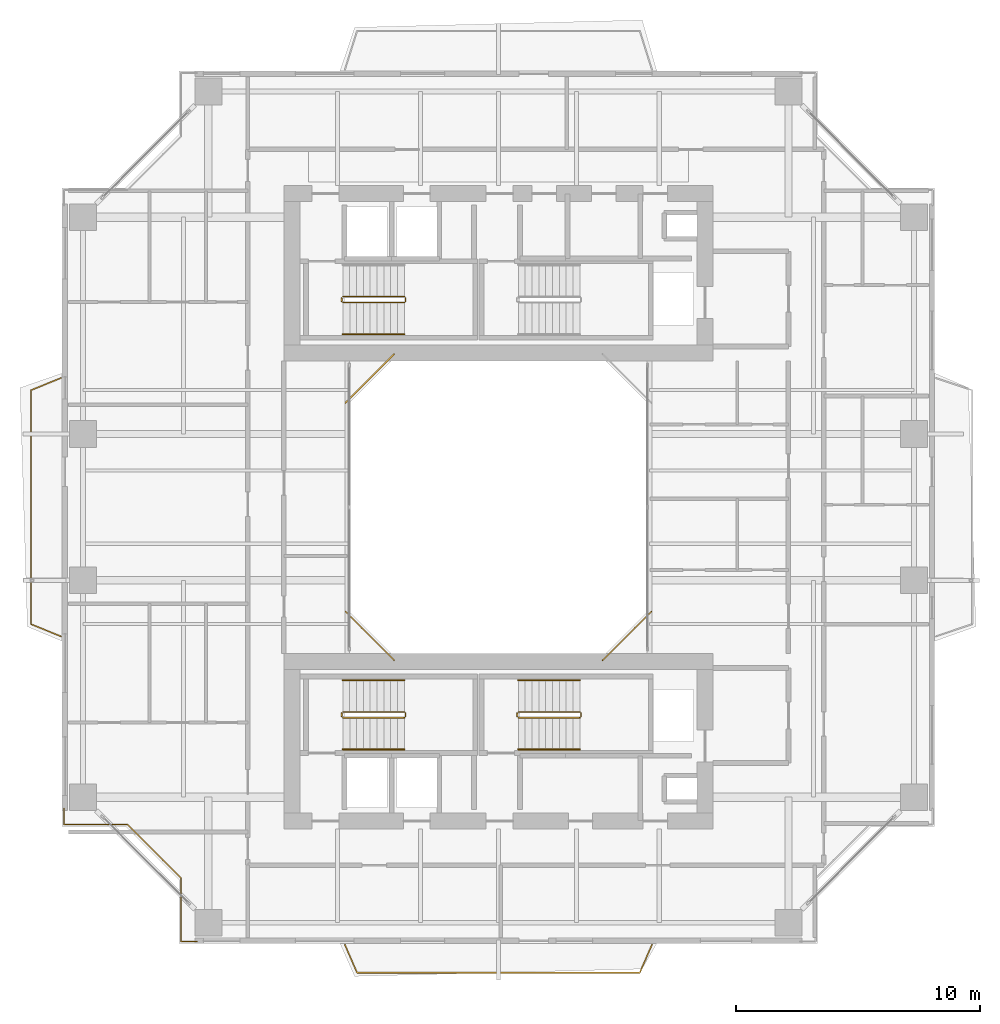
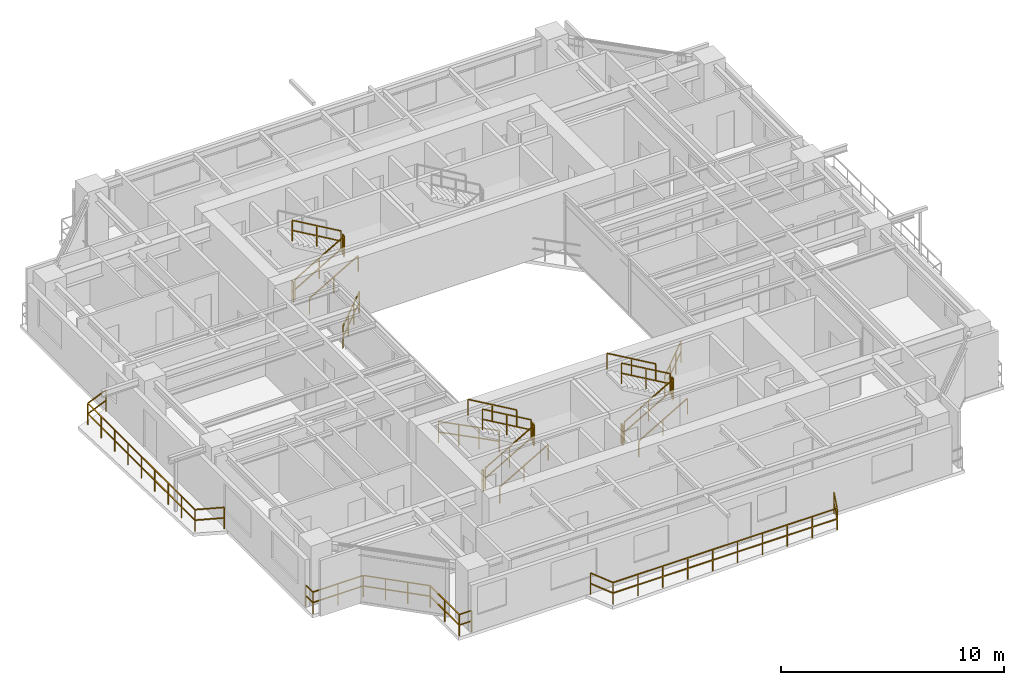
# One storey, part 15 of 17: 23 railings.
"""IFC4 building model written with IfcOpenShell, lengths in metres."""

from ifc_helpers import new_model, si_unit, direction, frame, origin, origin_2d, place, context, subcontext, project, spatial, rectangle, extrude, material, type_object, element, save


model = new_model("IFC4")

# Units and contexts
model_context = context("Model", 3, precision=1e-05, world=origin(), true_north=direction((0.0, 1.0)))
body_context = subcontext(model_context, "Body", "Model", "MODEL_VIEW")
ifc_project = project(units=[si_unit("LENGTHUNIT", "METRE"), si_unit("AREAUNIT", "SQUARE_METRE"), si_unit("VOLUMEUNIT", "CUBIC_METRE"), si_unit("PLANEANGLEUNIT", "RADIAN"), si_unit("MASSUNIT", "GRAM", prefix="KILO"), si_unit("THERMODYNAMICTEMPERATUREUNIT", "KELVIN"), si_unit("POWERUNIT", "WATT")], contexts=[model_context])

# Site, building, storey
site_placement = place(None, origin())
site = spatial("IfcSite", under=ifc_project, at=site_placement, CompositionType="ELEMENT")
building_placement = place(site_placement, origin())
building = spatial("IfcBuilding", under=site, at=building_placement, Name="Qiaomeng Ring Towers", CompositionType="ELEMENT")
storey_placement = place(building_placement, frame((0.0, 0.0, 126.25)))
storey = spatial("IfcBuildingStorey", under=building, at=storey_placement, Name="L36", CompositionType="ELEMENT", Elevation=126.25)

# Railings
ifc_material_1 = material(Name="Low-E pale-green laminated safety glass", Category="glass")
railing_type_1 = type_object("IfcRailingType", Name="ARC-RL-BAL1", PredefinedType="BALUSTRADE", material=ifc_material_1)
railing_1_placement = place(storey_placement, frame((23.280029296875, 16.719970703125, 0.0)))
element("IfcRailing", 1, at=railing_1_placement, inside=storey, type_object=railing_type_1, Name="L36 Balustrade ARC-BAL-WELL1-L36-1", PredefinedType="BALUSTRADE", context=body_context, shape_type="SweptSolid", body=[
    extrude(rectangle(XDim=0.048095703125, YDim=0.048095703125, at=origin_2d()), frame((0.0, 0.0, 1.17578125), z_axis=(0.707106781187, 0.707106781187, 0.0), x_axis=(-0.707106781187, 0.707106781187, 0.0)), (0.0, 0.0, 1.0), 2.828369140625),
    extrude(rectangle(XDim=0.048095703125, YDim=0.048095703125, at=origin_2d()), frame((0.0, 0.0, 0.60009765625), z_axis=(0.707106781187, 0.707106781187, 0.0), x_axis=(-0.707106781187, 0.707106781187, 0.0)), (0.0, 0.0, 1.0), 2.828369140625),
    extrude(rectangle(XDim=0.0419921875, YDim=0.0419921875, at=origin_2d()), origin(), (0.0, 0.0, 1.0), 1.15185546875),
    extrude(rectangle(XDim=0.0419921875, YDim=0.0419921875, at=origin_2d()), frame((0.666748046875, 0.666748046875, 0.0)), (0.0, 0.0, 1.0), 1.15185546875),
    extrude(rectangle(XDim=0.0419921875, YDim=0.0419921875, at=origin_2d()), frame((1.333251953125, 1.333251953125, 0.0)), (0.0, 0.0, 1.0), 1.15185546875),
    extrude(rectangle(XDim=0.0419921875, YDim=0.0419921875, at=origin_2d()), frame((2.0, 2.0, 0.0)), (0.0, 0.0, 1.0), 1.15185546875),
])
railing_2_placement = place(storey_placement, frame((14.719970703125, 29.280029296875, 0.0)))
element("IfcRailing", 2, at=railing_2_placement, inside=storey, type_object=railing_type_1, Name="L36 Balustrade ARC-BAL-WELL1-L36-3", PredefinedType="BALUSTRADE", context=body_context, shape_type="SweptSolid", body=[
    extrude(rectangle(XDim=0.048095703125, YDim=0.048095703125, at=origin_2d()), frame((0.0, 0.0, 1.17578125), z_axis=(-0.707106781187, -0.707106781187, 0.0), x_axis=(0.707106781187, -0.707106781187, 0.0)), (0.0, 0.0, 1.0), 2.828369140625),
    extrude(rectangle(XDim=0.048095703125, YDim=0.048095703125, at=origin_2d()), frame((0.0, 0.0, 0.60009765625), z_axis=(-0.707106781187, -0.707106781187, 0.0), x_axis=(0.707106781187, -0.707106781187, 0.0)), (0.0, 0.0, 1.0), 2.828369140625),
    extrude(rectangle(XDim=0.0419921875, YDim=0.0419921875, at=origin_2d()), origin(), (0.0, 0.0, 1.0), 1.15185546875),
    extrude(rectangle(XDim=0.0419921875, YDim=0.0419921875, at=origin_2d()), frame((-0.666748046875, -0.666748046875, 0.0)), (0.0, 0.0, 1.0), 1.15185546875),
    extrude(rectangle(XDim=0.0419921875, YDim=0.0419921875, at=origin_2d()), frame((-1.333251953125, -1.333251953125, 0.0)), (0.0, 0.0, 1.0), 1.15185546875),
    extrude(rectangle(XDim=0.0419921875, YDim=0.0419921875, at=origin_2d()), frame((-2.0, -2.0, 0.0)), (0.0, 0.0, 1.0), 1.15185546875),
])
railing_3_placement = place(storey_placement, frame((12.719970703125, 18.719970703125, 0.0)))
element("IfcRailing", 3, at=railing_3_placement, inside=storey, type_object=railing_type_1, Name="L36 Balustrade ARC-BAL-WELL1-L36-4", PredefinedType="BALUSTRADE", context=body_context, shape_type="SweptSolid", body=[
    extrude(rectangle(XDim=0.048095703125, YDim=0.048095703125, at=origin_2d()), frame((0.0, 0.0, 1.17578125), z_axis=(0.707106781187, -0.707106781187, 0.0), x_axis=(0.707106781187, 0.707106781187, 0.0)), (0.0, 0.0, 1.0), 2.828369140625),
    extrude(rectangle(XDim=0.048095703125, YDim=0.048095703125, at=origin_2d()), frame((0.0, 0.0, 0.60009765625), z_axis=(0.707106781187, -0.707106781187, 0.0), x_axis=(0.707106781187, 0.707106781187, 0.0)), (0.0, 0.0, 1.0), 2.828369140625),
    extrude(rectangle(XDim=0.0419921875, YDim=0.0419921875, at=origin_2d()), origin(), (0.0, 0.0, 1.0), 1.15185546875),
    extrude(rectangle(XDim=0.0419921875, YDim=0.0419921875, at=origin_2d()), frame((0.666748046875, -0.666748046875, 0.0)), (0.0, 0.0, 1.0), 1.15185546875),
    extrude(rectangle(XDim=0.0419921875, YDim=0.0419921875, at=origin_2d()), frame((1.333251953125, -1.333251953125, 0.0)), (0.0, 0.0, 1.0), 1.15185546875),
    extrude(rectangle(XDim=0.0419921875, YDim=0.0419921875, at=origin_2d()), frame((2.0, -2.0, 0.0)), (0.0, 0.0, 1.0), 1.15185546875),
])
railing_4_placement = place(storey_placement, frame((1.179931640625, 10.6298828125, 0.0)))
element("IfcRailing", 4, at=railing_4_placement, inside=storey, type_object=railing_type_1, Name="L36 Balustrade ARC-BAL-NOTCH1-L36-SW", PredefinedType="BALUSTRADE", context=body_context, shape_type="SweptSolid", body=[
    extrude(rectangle(XDim=0.048095703125, YDim=0.048095703125, at=origin_2d()), frame((0.0, 0.0, 1.17578125), z_axis=(0.0, -1.0, 0.0), x_axis=(1.0, 0.0, 0.0)), (0.0, 0.0, 1.0), 0.64990234375),
    extrude(rectangle(XDim=0.048095703125, YDim=0.048095703125, at=origin_2d()), frame((0.0, 0.0, 0.60009765625), z_axis=(0.0, -1.0, 0.0), x_axis=(1.0, 0.0, 0.0)), (0.0, 0.0, 1.0), 0.64990234375),
    extrude(rectangle(XDim=0.048095703125, YDim=0.048095703125, at=origin_2d()), frame((0.0, -0.64990234375, 1.17578125), z_axis=(1.0, 0.0, 0.0), x_axis=(0.0, 1.0, 0.0)), (0.0, 0.0, 1.0), 2.60009765625),
    extrude(rectangle(XDim=0.048095703125, YDim=0.048095703125, at=origin_2d()), frame((0.0, -0.64990234375, 0.60009765625), z_axis=(1.0, 0.0, 0.0), x_axis=(0.0, 1.0, 0.0)), (0.0, 0.0, 1.0), 2.60009765625),
    extrude(rectangle(XDim=0.048095703125, YDim=0.048095703125, at=origin_2d()), frame((2.60009765625, -0.64990234375, 1.17578125), z_axis=(0.707106781187, -0.707106781187, 0.0), x_axis=(0.707106781187, 0.707106781187, 0.0)), (0.0, 0.0, 1.0), 3.111083984375),
    extrude(rectangle(XDim=0.048095703125, YDim=0.048095703125, at=origin_2d()), frame((2.60009765625, -0.64990234375, 0.60009765625), z_axis=(0.707106781187, -0.707106781187, 0.0), x_axis=(0.707106781187, 0.707106781187, 0.0)), (0.0, 0.0, 1.0), 3.111083984375),
    extrude(rectangle(XDim=0.048095703125, YDim=0.048095703125, at=origin_2d()), frame((4.800048828125, -2.849853515625, 1.17578125), z_axis=(0.0, -1.0, 0.0), x_axis=(1.0, 0.0, 0.0)), (0.0, 0.0, 1.0), 2.60009765625),
    extrude(rectangle(XDim=0.048095703125, YDim=0.048095703125, at=origin_2d()), frame((4.800048828125, -2.849853515625, 0.60009765625), z_axis=(0.0, -1.0, 0.0), x_axis=(1.0, 0.0, 0.0)), (0.0, 0.0, 1.0), 2.60009765625),
    extrude(rectangle(XDim=0.048095703125, YDim=0.048095703125, at=origin_2d()), frame((4.800048828125, -5.449951171875, 1.17578125), z_axis=(1.0, 0.0, 0.0), x_axis=(0.0, 1.0, 0.0)), (0.0, 0.0, 1.0), 0.64990234375),
    extrude(rectangle(XDim=0.048095703125, YDim=0.048095703125, at=origin_2d()), frame((4.800048828125, -5.449951171875, 0.60009765625), z_axis=(1.0, 0.0, 0.0), x_axis=(0.0, 1.0, 0.0)), (0.0, 0.0, 1.0), 0.64990234375),
    extrude(rectangle(XDim=0.0419921875, YDim=0.0419921875, at=origin_2d()), origin(), (0.0, 0.0, 1.0), 1.15185546875),
    extrude(rectangle(XDim=0.0419921875, YDim=0.0419921875, at=origin_2d()), frame((0.0, -0.64990234375, 0.0)), (0.0, 0.0, 1.0), 1.15185546875),
    extrude(rectangle(XDim=0.0419921875, YDim=0.0419921875, at=origin_2d()), frame((1.300048828125, -0.64990234375, 0.0)), (0.0, 0.0, 1.0), 1.15185546875),
    extrude(rectangle(XDim=0.0419921875, YDim=0.0419921875, at=origin_2d()), frame((2.60009765625, -0.64990234375, 0.0)), (0.0, 0.0, 1.0), 1.15185546875),
    extrude(rectangle(XDim=0.0419921875, YDim=0.0419921875, at=origin_2d()), frame((3.33349609375, -1.38330078125, 0.0)), (0.0, 0.0, 1.0), 1.15185546875),
    extrude(rectangle(XDim=0.0419921875, YDim=0.0419921875, at=origin_2d()), frame((4.066650390625, -2.116455078125, 0.0)), (0.0, 0.0, 1.0), 1.15185546875),
    extrude(rectangle(XDim=0.0419921875, YDim=0.0419921875, at=origin_2d()), frame((4.800048828125, -2.849853515625, 0.0)), (0.0, 0.0, 1.0), 1.15185546875),
    extrude(rectangle(XDim=0.0419921875, YDim=0.0419921875, at=origin_2d()), frame((4.800048828125, -4.14990234375, 0.0)), (0.0, 0.0, 1.0), 1.15185546875),
    extrude(rectangle(XDim=0.0419921875, YDim=0.0419921875, at=origin_2d()), frame((4.800048828125, -5.449951171875, 0.0)), (0.0, 0.0, 1.0), 1.15185546875),
    extrude(rectangle(XDim=0.0419921875, YDim=0.0419921875, at=origin_2d()), frame((5.449951171875, -5.449951171875, 0.0)), (0.0, 0.0, 1.0), 1.15185546875),
])
railing_5_placement = place(storey_placement, frame((12.699951171875, 5.050048828125, 0.0)))
element("IfcRailing", 5, at=railing_5_placement, inside=storey, type_object=railing_type_1, Name="L36 Balustrade ARC-BAL-L36-T1-S", PredefinedType="BALUSTRADE", context=body_context, shape_type="SweptSolid", body=[
    extrude(rectangle(XDim=0.048095703125, YDim=0.048095703125, at=origin_2d()), frame((0.0, 0.0, 1.17578125), z_axis=(0.39868340127, -0.917088624699, 0.0), x_axis=(0.917088624699, 0.39868340127, 0.0)), (0.0, 0.0, 1.0), 1.254150390625),
    extrude(rectangle(XDim=0.048095703125, YDim=0.048095703125, at=origin_2d()), frame((0.0, 0.0, 0.60009765625), z_axis=(0.39868340127, -0.917088624699, 0.0), x_axis=(0.917088624699, 0.39868340127, 0.0)), (0.0, 0.0, 1.0), 1.254150390625),
    extrude(rectangle(XDim=0.048095703125, YDim=0.048095703125, at=origin_2d()), frame((0.5, -1.150146484375, 1.17578125), z_axis=(1.0, 0.0, 0.0), x_axis=(0.0, 1.0, 0.0)), (0.0, 0.0, 1.0), 11.60009765625),
    extrude(rectangle(XDim=0.048095703125, YDim=0.048095703125, at=origin_2d()), frame((0.5, -1.150146484375, 0.60009765625), z_axis=(1.0, 0.0, 0.0), x_axis=(0.0, 1.0, 0.0)), (0.0, 0.0, 1.0), 11.60009765625),
    extrude(rectangle(XDim=0.048095703125, YDim=0.048095703125, at=origin_2d()), frame((12.10009765625, -1.150146484375, 1.17578125), z_axis=(0.39868340127, 0.917088624699, 0.0), x_axis=(-0.917088624699, 0.39868340127, 0.0)), (0.0, 0.0, 1.0), 1.254150390625),
    extrude(rectangle(XDim=0.048095703125, YDim=0.048095703125, at=origin_2d()), frame((12.10009765625, -1.150146484375, 0.60009765625), z_axis=(0.39868340127, 0.917088624699, 0.0), x_axis=(-0.917088624699, 0.39868340127, 0.0)), (0.0, 0.0, 1.0), 1.254150390625),
    extrude(rectangle(XDim=0.0419921875, YDim=0.0419921875, at=origin_2d()), origin(), (0.0, 0.0, 1.0), 1.15185546875),
    extrude(rectangle(XDim=0.0419921875, YDim=0.0419921875, at=origin_2d()), frame((0.5, -1.150146484375, 0.0)), (0.0, 0.0, 1.0), 1.15185546875),
    extrude(rectangle(XDim=0.0419921875, YDim=0.0419921875, at=origin_2d()), frame((1.788818359375, -1.150146484375, 0.0)), (0.0, 0.0, 1.0), 1.15185546875),
    extrude(rectangle(XDim=0.0419921875, YDim=0.0419921875, at=origin_2d()), frame((3.077880859375, -1.150146484375, 0.0)), (0.0, 0.0, 1.0), 1.15185546875),
    extrude(rectangle(XDim=0.0419921875, YDim=0.0419921875, at=origin_2d()), frame((4.36669921875, -1.150146484375, 0.0)), (0.0, 0.0, 1.0), 1.15185546875),
    extrude(rectangle(XDim=0.0419921875, YDim=0.0419921875, at=origin_2d()), frame((5.655517578125, -1.150146484375, 0.0)), (0.0, 0.0, 1.0), 1.15185546875),
    extrude(rectangle(XDim=0.0419921875, YDim=0.0419921875, at=origin_2d()), frame((6.944580078125, -1.150146484375, 0.0)), (0.0, 0.0, 1.0), 1.15185546875),
    extrude(rectangle(XDim=0.0419921875, YDim=0.0419921875, at=origin_2d()), frame((8.2333984375, -1.150146484375, 0.0)), (0.0, 0.0, 1.0), 1.15185546875),
    extrude(rectangle(XDim=0.0419921875, YDim=0.0419921875, at=origin_2d()), frame((9.522216796875, -1.150146484375, 0.0)), (0.0, 0.0, 1.0), 1.15185546875),
    extrude(rectangle(XDim=0.0419921875, YDim=0.0419921875, at=origin_2d()), frame((10.811279296875, -1.150146484375, 0.0)), (0.0, 0.0, 1.0), 1.15185546875),
    extrude(rectangle(XDim=0.0419921875, YDim=0.0419921875, at=origin_2d()), frame((12.10009765625, -1.150146484375, 0.0)), (0.0, 0.0, 1.0), 1.15185546875),
    extrude(rectangle(XDim=0.0419921875, YDim=0.0419921875, at=origin_2d()), frame((12.60009765625, 0.0, 0.0)), (0.0, 0.0, 1.0), 1.15185546875),
])
railing_6_placement = place(storey_placement, frame((1.050048828125, 17.699951171875, 0.0)))
element("IfcRailing", 6, at=railing_6_placement, inside=storey, type_object=railing_type_1, Name="L36 Balustrade ARC-BAL-L36-T1-W", PredefinedType="BALUSTRADE", context=body_context, shape_type="SweptSolid", body=[
    extrude(rectangle(XDim=0.048095703125, YDim=0.048095703125, at=origin_2d()), frame((0.0, 0.0, 1.17578125), z_axis=(-0.926382398109, 0.376584190418, 0.0), x_axis=(-0.376584190418, -0.926382398109, 0.0)), (0.0, 0.0, 1.0), 1.32763671875),
    extrude(rectangle(XDim=0.048095703125, YDim=0.048095703125, at=origin_2d()), frame((0.0, 0.0, 0.60009765625), z_axis=(-0.926382398109, 0.376584190418, 0.0), x_axis=(-0.376584190418, -0.926382398109, 0.0)), (0.0, 0.0, 1.0), 1.32763671875),
    extrude(rectangle(XDim=0.048095703125, YDim=0.048095703125, at=origin_2d()), frame((-1.22998046875, 0.5, 1.17578125), z_axis=(0.0, 1.0, 0.0), x_axis=(-1.0, 0.0, 0.0)), (0.0, 0.0, 1.0), 9.60009765625),
    extrude(rectangle(XDim=0.048095703125, YDim=0.048095703125, at=origin_2d()), frame((-1.22998046875, 0.5, 0.60009765625), z_axis=(0.0, 1.0, 0.0), x_axis=(-1.0, 0.0, 0.0)), (0.0, 0.0, 1.0), 9.60009765625),
    extrude(rectangle(XDim=0.048095703125, YDim=0.048095703125, at=origin_2d()), frame((-1.22998046875, 10.10009765625, 1.17578125), z_axis=(0.926382398109, 0.376584190418, 0.0), x_axis=(-0.376584190418, 0.926382398109, 0.0)), (0.0, 0.0, 1.0), 1.32763671875),
    extrude(rectangle(XDim=0.048095703125, YDim=0.048095703125, at=origin_2d()), frame((-1.22998046875, 10.10009765625, 0.60009765625), z_axis=(0.926382398109, 0.376584190418, 0.0), x_axis=(-0.376584190418, 0.926382398109, 0.0)), (0.0, 0.0, 1.0), 1.32763671875),
    extrude(rectangle(XDim=0.0419921875, YDim=0.0419921875, at=origin_2d()), origin(), (0.0, 0.0, 1.0), 1.15185546875),
    extrude(rectangle(XDim=0.0419921875, YDim=0.0419921875, at=origin_2d()), frame((-1.22998046875, 0.5, 0.0)), (0.0, 0.0, 1.0), 1.15185546875),
    extrude(rectangle(XDim=0.0419921875, YDim=0.0419921875, at=origin_2d()), frame((-1.22998046875, 1.699951171875, 0.0)), (0.0, 0.0, 1.0), 1.15185546875),
    extrude(rectangle(XDim=0.0419921875, YDim=0.0419921875, at=origin_2d()), frame((-1.22998046875, 2.89990234375, 0.0)), (0.0, 0.0, 1.0), 1.15185546875),
    extrude(rectangle(XDim=0.0419921875, YDim=0.0419921875, at=origin_2d()), frame((-1.22998046875, 4.10009765625, 0.0)), (0.0, 0.0, 1.0), 1.15185546875),
    extrude(rectangle(XDim=0.0419921875, YDim=0.0419921875, at=origin_2d()), frame((-1.22998046875, 5.300048828125, 0.0)), (0.0, 0.0, 1.0), 1.15185546875),
    extrude(rectangle(XDim=0.0419921875, YDim=0.0419921875, at=origin_2d()), frame((-1.22998046875, 6.5, 0.0)), (0.0, 0.0, 1.0), 1.15185546875),
    extrude(rectangle(XDim=0.0419921875, YDim=0.0419921875, at=origin_2d()), frame((-1.22998046875, 7.7001953125, 0.0)), (0.0, 0.0, 1.0), 1.15185546875),
    extrude(rectangle(XDim=0.0419921875, YDim=0.0419921875, at=origin_2d()), frame((-1.22998046875, 8.900146484375, 0.0)), (0.0, 0.0, 1.0), 1.15185546875),
    extrude(rectangle(XDim=0.0419921875, YDim=0.0419921875, at=origin_2d()), frame((-1.22998046875, 10.10009765625, 0.0)), (0.0, 0.0, 1.0), 1.15185546875),
    extrude(rectangle(XDim=0.0419921875, YDim=0.0419921875, at=origin_2d()), frame((0.0, 10.60009765625, 0.0)), (0.0, 0.0, 1.0), 1.15185546875),
])
ifc_material_2 = material(Name="Galvanised steel", Category="steel")
railing_type_2 = type_object("IfcRailingType", Name="ARC-RL-GUARD", PredefinedType="GUARDRAIL", material=ifc_material_2)
railing_7_placement = place(storey_placement, frame((12.6201171875, 31.39990234375, 0.16259765625)))
element("IfcRailing", 7, at=railing_7_placement, inside=storey, type_object=railing_type_2, Name="L36 ST1 stair guard 1", PredefinedType="GUARDRAIL", context=body_context, shape_type="SweptSolid", body=[
    extrude(rectangle(XDim=0.048095703125, YDim=0.048095703125, at=origin_2d()), frame((0.0, 0.0, 1.1259765625), z_axis=(0.864892226395, 0.0, 0.501957604506), x_axis=(0.0, 1.0, 0.0)), (0.0, 0.0, 1.0), 2.913330078125),
    extrude(rectangle(XDim=0.048095703125, YDim=0.048095703125, at=origin_2d()), frame((0.0, 0.0, 0.574951171875), z_axis=(0.864892226395, 0.0, 0.501957604506), x_axis=(0.0, 1.0, 0.0)), (0.0, 0.0, 1.0), 2.913330078125),
    extrude(rectangle(XDim=0.0419921875, YDim=0.0419921875, at=origin_2d()), origin(), (0.0, 0.0, 1.0), 1.101806640625),
    extrude(rectangle(XDim=0.0419921875, YDim=0.0419921875, at=origin_2d()), frame((1.259765625, 0.0, 0.731201171875)), (0.0, 0.0, 1.0), 1.101806640625),
    extrude(rectangle(XDim=0.0419921875, YDim=0.0419921875, at=origin_2d()), frame((2.519775390625, 0.0, 1.46240234375)), (0.0, 0.0, 1.0), 1.101806640625),
])
railing_8_placement = place(storey_placement, frame((15.18994140625, 31.449951171875, 1.625)))
element("IfcRailing", 8, at=railing_8_placement, inside=storey, type_object=railing_type_2, Name="L36 ST1 stair guard 2", PredefinedType="GUARDRAIL", context=body_context, shape_type="SweptSolid", body=[
    extrude(rectangle(XDim=0.048095703125, YDim=0.048095703125, at=origin_2d()), frame((0.0, 0.0, 1.1259765625), z_axis=(0.0, 1.0, 0.0), x_axis=(-1.0, 0.0, 0.0)), (0.0, 0.0, 1.0), 0.14013671875),
    extrude(rectangle(XDim=0.048095703125, YDim=0.048095703125, at=origin_2d()), frame((0.0, 0.0, 0.574951171875), z_axis=(0.0, 1.0, 0.0), x_axis=(-1.0, 0.0, 0.0)), (0.0, 0.0, 1.0), 0.14013671875),
    extrude(rectangle(XDim=0.0419921875, YDim=0.0419921875, at=origin_2d()), origin(), (0.0, 0.0, 1.0), 1.101806640625),
    extrude(rectangle(XDim=0.0419921875, YDim=0.0419921875, at=origin_2d()), frame((0.0, 0.14013671875, 0.0)), (0.0, 0.0, 1.0), 1.101806640625),
])
railing_9_placement = place(storey_placement, frame((15.139892578125, 31.639892578125, 1.78759765625)))
element("IfcRailing", 9, at=railing_9_placement, inside=storey, type_object=railing_type_2, Name="L36 ST1 stair guard 3", PredefinedType="GUARDRAIL", context=body_context, shape_type="SweptSolid", body=[
    extrude(rectangle(XDim=0.048095703125, YDim=0.048095703125, at=origin_2d()), frame((0.0, 0.0, 1.1259765625), z_axis=(-0.864892226395, 0.0, 0.501957604506), x_axis=(0.0, -1.0, 0.0)), (0.0, 0.0, 1.0), 2.913330078125),
    extrude(rectangle(XDim=0.048095703125, YDim=0.048095703125, at=origin_2d()), frame((0.0, 0.0, 0.574951171875), z_axis=(-0.864892226395, 0.0, 0.501957604506), x_axis=(0.0, -1.0, 0.0)), (0.0, 0.0, 1.0), 2.913330078125),
    extrude(rectangle(XDim=0.0419921875, YDim=0.0419921875, at=origin_2d()), origin(), (0.0, 0.0, 1.0), 1.101806640625),
    extrude(rectangle(XDim=0.0419921875, YDim=0.0419921875, at=origin_2d()), frame((-1.259765625, 0.0, 0.731201171875)), (0.0, 0.0, 1.0), 1.101806640625),
    extrude(rectangle(XDim=0.0419921875, YDim=0.0419921875, at=origin_2d()), frame((-2.519775390625, 0.0, 1.46240234375)), (0.0, 0.0, 1.0), 1.101806640625),
])
railing_10_placement = place(storey_placement, frame((12.570068359375, 31.449951171875, 0.0)))
element("IfcRailing", 10, at=railing_10_placement, inside=storey, type_object=railing_type_2, Name="L36 ST1 stair guard 4", PredefinedType="GUARDRAIL", context=body_context, shape_type="SweptSolid", body=[
    extrude(rectangle(XDim=0.048095703125, YDim=0.048095703125, at=origin_2d()), frame((0.0, 0.0, 1.1259765625), z_axis=(0.0, 1.0, 0.0), x_axis=(-1.0, 0.0, 0.0)), (0.0, 0.0, 1.0), 0.14013671875),
    extrude(rectangle(XDim=0.048095703125, YDim=0.048095703125, at=origin_2d()), frame((0.0, 0.0, 0.574951171875), z_axis=(0.0, 1.0, 0.0), x_axis=(-1.0, 0.0, 0.0)), (0.0, 0.0, 1.0), 0.14013671875),
    extrude(rectangle(XDim=0.0419921875, YDim=0.0419921875, at=origin_2d()), origin(), (0.0, 0.0, 1.0), 1.101806640625),
    extrude(rectangle(XDim=0.0419921875, YDim=0.0419921875, at=origin_2d()), frame((0.0, 0.14013671875, 0.0)), (0.0, 0.0, 1.0), 1.101806640625),
])
railing_11_placement = place(storey_placement, frame((12.6201171875, 14.360107421875, 0.16259765625)))
element("IfcRailing", 11, at=railing_11_placement, inside=storey, type_object=railing_type_2, Name="L36 ST3 stair guard 1", PredefinedType="GUARDRAIL", context=body_context, shape_type="SweptSolid", body=[
    extrude(rectangle(XDim=0.048095703125, YDim=0.048095703125, at=origin_2d()), frame((0.0, 0.0, 1.1259765625), z_axis=(0.864892226395, 0.0, 0.501957604506), x_axis=(0.0, 1.0, 0.0)), (0.0, 0.0, 1.0), 2.913330078125),
    extrude(rectangle(XDim=0.048095703125, YDim=0.048095703125, at=origin_2d()), frame((0.0, 0.0, 0.574951171875), z_axis=(0.864892226395, 0.0, 0.501957604506), x_axis=(0.0, 1.0, 0.0)), (0.0, 0.0, 1.0), 2.913330078125),
    extrude(rectangle(XDim=0.0419921875, YDim=0.0419921875, at=origin_2d()), origin(), (0.0, 0.0, 1.0), 1.101806640625),
    extrude(rectangle(XDim=0.0419921875, YDim=0.0419921875, at=origin_2d()), frame((1.259765625, 0.0, 0.731201171875)), (0.0, 0.0, 1.0), 1.101806640625),
    extrude(rectangle(XDim=0.0419921875, YDim=0.0419921875, at=origin_2d()), frame((2.519775390625, 0.0, 1.46240234375)), (0.0, 0.0, 1.0), 1.101806640625),
])
railing_12_placement = place(storey_placement, frame((15.18994140625, 14.409912109375, 1.625)))
element("IfcRailing", 12, at=railing_12_placement, inside=storey, type_object=railing_type_2, Name="L36 ST3 stair guard 2", PredefinedType="GUARDRAIL", context=body_context, shape_type="SweptSolid", body=[
    extrude(rectangle(XDim=0.048095703125, YDim=0.048095703125, at=origin_2d()), frame((0.0, 0.0, 1.1259765625), z_axis=(0.0, 1.0, 0.0), x_axis=(-1.0, 0.0, 0.0)), (0.0, 0.0, 1.0), 0.14013671875),
    extrude(rectangle(XDim=0.048095703125, YDim=0.048095703125, at=origin_2d()), frame((0.0, 0.0, 0.574951171875), z_axis=(0.0, 1.0, 0.0), x_axis=(-1.0, 0.0, 0.0)), (0.0, 0.0, 1.0), 0.14013671875),
    extrude(rectangle(XDim=0.0419921875, YDim=0.0419921875, at=origin_2d()), origin(), (0.0, 0.0, 1.0), 1.101806640625),
    extrude(rectangle(XDim=0.0419921875, YDim=0.0419921875, at=origin_2d()), frame((0.0, 0.14013671875, 0.0)), (0.0, 0.0, 1.0), 1.101806640625),
])
railing_13_placement = place(storey_placement, frame((15.139892578125, 14.60009765625, 1.78759765625)))
element("IfcRailing", 13, at=railing_13_placement, inside=storey, type_object=railing_type_2, Name="L36 ST3 stair guard 3", PredefinedType="GUARDRAIL", context=body_context, shape_type="SweptSolid", body=[
    extrude(rectangle(XDim=0.048095703125, YDim=0.048095703125, at=origin_2d()), frame((0.0, 0.0, 1.1259765625), z_axis=(-0.864892226395, 0.0, 0.501957604506), x_axis=(0.0, -1.0, 0.0)), (0.0, 0.0, 1.0), 2.913330078125),
    extrude(rectangle(XDim=0.048095703125, YDim=0.048095703125, at=origin_2d()), frame((0.0, 0.0, 0.574951171875), z_axis=(-0.864892226395, 0.0, 0.501957604506), x_axis=(0.0, -1.0, 0.0)), (0.0, 0.0, 1.0), 2.913330078125),
    extrude(rectangle(XDim=0.0419921875, YDim=0.0419921875, at=origin_2d()), origin(), (0.0, 0.0, 1.0), 1.101806640625),
    extrude(rectangle(XDim=0.0419921875, YDim=0.0419921875, at=origin_2d()), frame((-1.259765625, 0.0, 0.731201171875)), (0.0, 0.0, 1.0), 1.101806640625),
    extrude(rectangle(XDim=0.0419921875, YDim=0.0419921875, at=origin_2d()), frame((-2.519775390625, 0.0, 1.46240234375)), (0.0, 0.0, 1.0), 1.101806640625),
])
railing_14_placement = place(storey_placement, frame((12.570068359375, 14.409912109375, 0.0)))
element("IfcRailing", 14, at=railing_14_placement, inside=storey, type_object=railing_type_2, Name="L36 ST3 stair guard 4", PredefinedType="GUARDRAIL", context=body_context, shape_type="SweptSolid", body=[
    extrude(rectangle(XDim=0.048095703125, YDim=0.048095703125, at=origin_2d()), frame((0.0, 0.0, 1.1259765625), z_axis=(0.0, 1.0, 0.0), x_axis=(-1.0, 0.0, 0.0)), (0.0, 0.0, 1.0), 0.14013671875),
    extrude(rectangle(XDim=0.048095703125, YDim=0.048095703125, at=origin_2d()), frame((0.0, 0.0, 0.574951171875), z_axis=(0.0, 1.0, 0.0), x_axis=(-1.0, 0.0, 0.0)), (0.0, 0.0, 1.0), 0.14013671875),
    extrude(rectangle(XDim=0.0419921875, YDim=0.0419921875, at=origin_2d()), origin(), (0.0, 0.0, 1.0), 1.101806640625),
    extrude(rectangle(XDim=0.0419921875, YDim=0.0419921875, at=origin_2d()), frame((0.0, 0.14013671875, 0.0)), (0.0, 0.0, 1.0), 1.101806640625),
])
railing_15_placement = place(storey_placement, frame((19.820068359375, 14.360107421875, 0.16259765625)))
element("IfcRailing", 15, at=railing_15_placement, inside=storey, type_object=railing_type_2, Name="L36 ST4 stair guard 1", PredefinedType="GUARDRAIL", context=body_context, shape_type="SweptSolid", body=[
    extrude(rectangle(XDim=0.048095703125, YDim=0.048095703125, at=origin_2d()), frame((0.0, 0.0, 1.1259765625), z_axis=(0.864913338283, 0.0, 0.50192122615), x_axis=(0.0, 1.0, 0.0)), (0.0, 0.0, 1.0), 2.91357421875),
    extrude(rectangle(XDim=0.048095703125, YDim=0.048095703125, at=origin_2d()), frame((0.0, 0.0, 0.574951171875), z_axis=(0.864913338283, 0.0, 0.50192122615), x_axis=(0.0, 1.0, 0.0)), (0.0, 0.0, 1.0), 2.91357421875),
    extrude(rectangle(XDim=0.0419921875, YDim=0.0419921875, at=origin_2d()), origin(), (0.0, 0.0, 1.0), 1.101806640625),
    extrude(rectangle(XDim=0.0419921875, YDim=0.0419921875, at=origin_2d()), frame((1.260009765625, 0.0, 0.731201171875)), (0.0, 0.0, 1.0), 1.101806640625),
    extrude(rectangle(XDim=0.0419921875, YDim=0.0419921875, at=origin_2d()), frame((2.52001953125, 0.0, 1.46240234375)), (0.0, 0.0, 1.0), 1.101806640625),
])
railing_16_placement = place(storey_placement, frame((22.389892578125, 14.409912109375, 1.625)))
element("IfcRailing", 16, at=railing_16_placement, inside=storey, type_object=railing_type_2, Name="L36 ST4 stair guard 2", PredefinedType="GUARDRAIL", context=body_context, shape_type="SweptSolid", body=[
    extrude(rectangle(XDim=0.048095703125, YDim=0.048095703125, at=origin_2d()), frame((0.0, 0.0, 1.1259765625), z_axis=(0.0, 1.0, 0.0), x_axis=(-1.0, 0.0, 0.0)), (0.0, 0.0, 1.0), 0.14013671875),
    extrude(rectangle(XDim=0.048095703125, YDim=0.048095703125, at=origin_2d()), frame((0.0, 0.0, 0.574951171875), z_axis=(0.0, 1.0, 0.0), x_axis=(-1.0, 0.0, 0.0)), (0.0, 0.0, 1.0), 0.14013671875),
    extrude(rectangle(XDim=0.0419921875, YDim=0.0419921875, at=origin_2d()), origin(), (0.0, 0.0, 1.0), 1.101806640625),
    extrude(rectangle(XDim=0.0419921875, YDim=0.0419921875, at=origin_2d()), frame((0.0, 0.14013671875, 0.0)), (0.0, 0.0, 1.0), 1.101806640625),
])
railing_17_placement = place(storey_placement, frame((22.340087890625, 14.60009765625, 1.78759765625)))
element("IfcRailing", 17, at=railing_17_placement, inside=storey, type_object=railing_type_2, Name="L36 ST4 stair guard 3", PredefinedType="GUARDRAIL", context=body_context, shape_type="SweptSolid", body=[
    extrude(rectangle(XDim=0.048095703125, YDim=0.048095703125, at=origin_2d()), frame((0.0, 0.0, 1.1259765625), z_axis=(-0.864913338283, 0.0, 0.50192122615), x_axis=(0.0, -1.0, 0.0)), (0.0, 0.0, 1.0), 2.91357421875),
    extrude(rectangle(XDim=0.048095703125, YDim=0.048095703125, at=origin_2d()), frame((0.0, 0.0, 0.574951171875), z_axis=(-0.864913338283, 0.0, 0.50192122615), x_axis=(0.0, -1.0, 0.0)), (0.0, 0.0, 1.0), 2.91357421875),
    extrude(rectangle(XDim=0.0419921875, YDim=0.0419921875, at=origin_2d()), origin(), (0.0, 0.0, 1.0), 1.101806640625),
    extrude(rectangle(XDim=0.0419921875, YDim=0.0419921875, at=origin_2d()), frame((-1.260009765625, 0.0, 0.731201171875)), (0.0, 0.0, 1.0), 1.101806640625),
    extrude(rectangle(XDim=0.0419921875, YDim=0.0419921875, at=origin_2d()), frame((-2.52001953125, 0.0, 1.46240234375)), (0.0, 0.0, 1.0), 1.101806640625),
])
railing_18_placement = place(storey_placement, frame((19.77001953125, 14.409912109375, 0.0)))
element("IfcRailing", 18, at=railing_18_placement, inside=storey, type_object=railing_type_2, Name="L36 ST4 stair guard 4", PredefinedType="GUARDRAIL", context=body_context, shape_type="SweptSolid", body=[
    extrude(rectangle(XDim=0.048095703125, YDim=0.048095703125, at=origin_2d()), frame((0.0, 0.0, 1.1259765625), z_axis=(0.0, 1.0, 0.0), x_axis=(-1.0, 0.0, 0.0)), (0.0, 0.0, 1.0), 0.14013671875),
    extrude(rectangle(XDim=0.048095703125, YDim=0.048095703125, at=origin_2d()), frame((0.0, 0.0, 0.574951171875), z_axis=(0.0, 1.0, 0.0), x_axis=(-1.0, 0.0, 0.0)), (0.0, 0.0, 1.0), 0.14013671875),
    extrude(rectangle(XDim=0.0419921875, YDim=0.0419921875, at=origin_2d()), origin(), (0.0, 0.0, 1.0), 1.101806640625),
    extrude(rectangle(XDim=0.0419921875, YDim=0.0419921875, at=origin_2d()), frame((0.0, 0.14013671875, 0.0)), (0.0, 0.0, 1.0), 1.101806640625),
])
ifc_material_3 = material(Name="Stainless steel 316", Category="steel")
railing_type_3 = type_object("IfcRailingType", Name="ARC-RL-HAND", PredefinedType="HANDRAIL", material=ifc_material_3)
for number, where, name in (
    (19, (12.6201171875, 30.10009765625, 0.16259765625), "L36 ST1 stair handrail 1"),
    (20, (12.6201171875, 13.06005859375, 0.16259765625), "L36 ST3 stair handrail 1"),
):
    element("IfcRailing", number, at=place(storey_placement, frame(where)), inside=storey, type_object=railing_type_3, Name=name, PredefinedType="HANDRAIL", context=body_context, shape_type="SweptSolid", body=[
        extrude(rectangle(XDim=0.048095703125, YDim=0.048095703125, at=origin_2d()), frame((0.0, 0.0, 0.8759765625), z_axis=(0.864892226395, 0.0, 0.501957604506), x_axis=(0.0, 1.0, 0.0)), (0.0, 0.0, 1.0), 2.913330078125),
        extrude(rectangle(XDim=0.0419921875, YDim=0.0419921875, at=origin_2d()), origin(), (0.0, 0.0, 1.0), 0.851806640625),
        extrude(rectangle(XDim=0.0419921875, YDim=0.0419921875, at=origin_2d()), frame((1.259765625, 0.0, 0.731201171875)), (0.0, 0.0, 1.0), 0.851806640625),
        extrude(rectangle(XDim=0.0419921875, YDim=0.0419921875, at=origin_2d()), frame((2.519775390625, 0.0, 1.46240234375)), (0.0, 0.0, 1.0), 0.851806640625),
    ])
railing_19_placement = place(storey_placement, frame((15.139892578125, 15.89990234375, 1.78759765625)))
element("IfcRailing", 21, at=railing_19_placement, inside=storey, type_object=railing_type_3, Name="L36 ST3 stair handrail 2", PredefinedType="HANDRAIL", context=body_context, shape_type="SweptSolid", body=[
    extrude(rectangle(XDim=0.048095703125, YDim=0.048095703125, at=origin_2d()), frame((0.0, 0.0, 0.8759765625), z_axis=(-0.864892226395, 0.0, 0.501957604506), x_axis=(0.0, -1.0, 0.0)), (0.0, 0.0, 1.0), 2.913330078125),
    extrude(rectangle(XDim=0.0419921875, YDim=0.0419921875, at=origin_2d()), origin(), (0.0, 0.0, 1.0), 0.851806640625),
    extrude(rectangle(XDim=0.0419921875, YDim=0.0419921875, at=origin_2d()), frame((-1.259765625, 0.0, 0.731201171875)), (0.0, 0.0, 1.0), 0.851806640625),
    extrude(rectangle(XDim=0.0419921875, YDim=0.0419921875, at=origin_2d()), frame((-2.519775390625, 0.0, 1.46240234375)), (0.0, 0.0, 1.0), 0.851806640625),
])
railing_20_placement = place(storey_placement, frame((19.820068359375, 13.06005859375, 0.16259765625)))
element("IfcRailing", 22, at=railing_20_placement, inside=storey, type_object=railing_type_3, Name="L36 ST4 stair handrail 1", PredefinedType="HANDRAIL", context=body_context, shape_type="SweptSolid", body=[
    extrude(rectangle(XDim=0.048095703125, YDim=0.048095703125, at=origin_2d()), frame((0.0, 0.0, 0.8759765625), z_axis=(0.864913338283, 0.0, 0.50192122615), x_axis=(0.0, 1.0, 0.0)), (0.0, 0.0, 1.0), 2.91357421875),
    extrude(rectangle(XDim=0.0419921875, YDim=0.0419921875, at=origin_2d()), origin(), (0.0, 0.0, 1.0), 0.851806640625),
    extrude(rectangle(XDim=0.0419921875, YDim=0.0419921875, at=origin_2d()), frame((1.260009765625, 0.0, 0.731201171875)), (0.0, 0.0, 1.0), 0.851806640625),
    extrude(rectangle(XDim=0.0419921875, YDim=0.0419921875, at=origin_2d()), frame((2.52001953125, 0.0, 1.46240234375)), (0.0, 0.0, 1.0), 0.851806640625),
])
railing_21_placement = place(storey_placement, frame((22.340087890625, 15.89990234375, 1.78759765625)))
element("IfcRailing", 23, at=railing_21_placement, inside=storey, type_object=railing_type_3, Name="L36 ST4 stair handrail 2", PredefinedType="HANDRAIL", context=body_context, shape_type="SweptSolid", body=[
    extrude(rectangle(XDim=0.048095703125, YDim=0.048095703125, at=origin_2d()), frame((0.0, 0.0, 0.8759765625), z_axis=(-0.864913338283, 0.0, 0.50192122615), x_axis=(0.0, -1.0, 0.0)), (0.0, 0.0, 1.0), 2.91357421875),
    extrude(rectangle(XDim=0.0419921875, YDim=0.0419921875, at=origin_2d()), origin(), (0.0, 0.0, 1.0), 0.851806640625),
    extrude(rectangle(XDim=0.0419921875, YDim=0.0419921875, at=origin_2d()), frame((-1.260009765625, 0.0, 0.731201171875)), (0.0, 0.0, 1.0), 0.851806640625),
    extrude(rectangle(XDim=0.0419921875, YDim=0.0419921875, at=origin_2d()), frame((-2.52001953125, 0.0, 1.46240234375)), (0.0, 0.0, 1.0), 0.851806640625),
])

save(model, "model.ifc")
